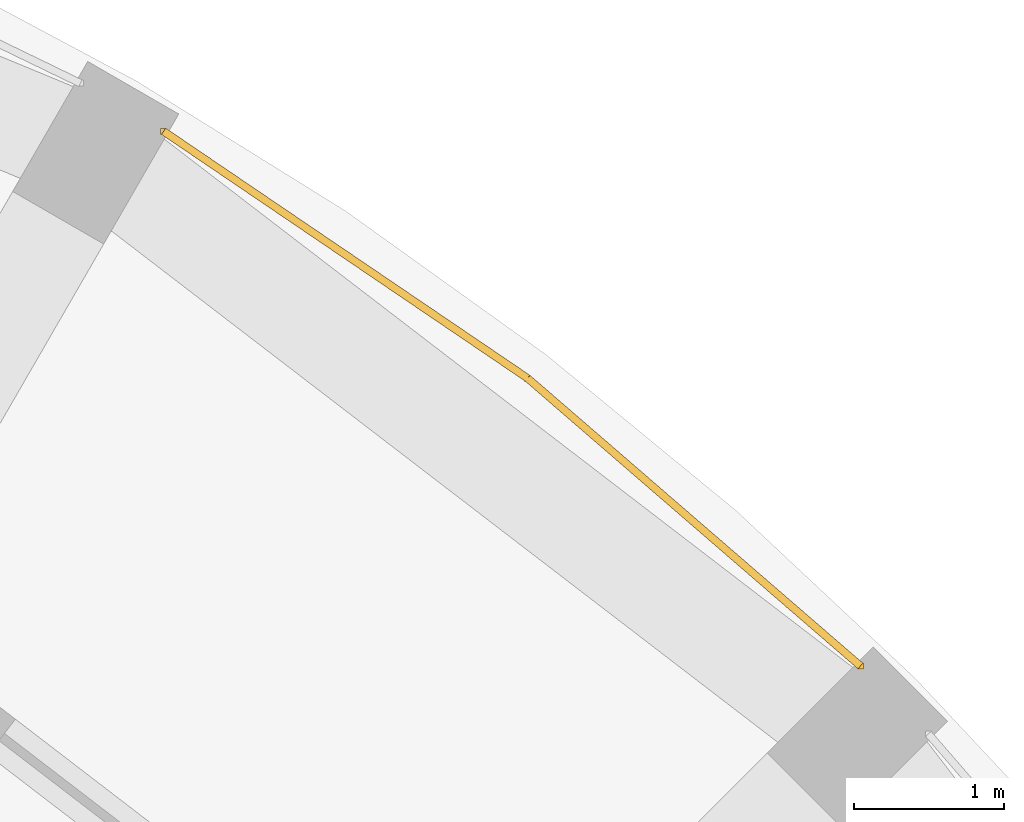
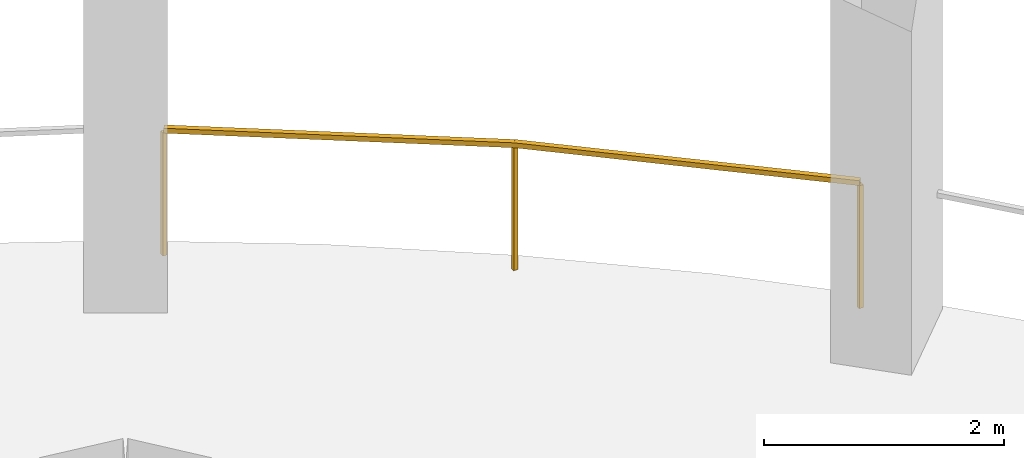
# One storey, part 8 of 8: 1 railing.
"""IFC4 building model written with IfcOpenShell, lengths in metres."""

from ifc_helpers import new_model, si_unit, direction, frame, origin, origin_2d, place, context, subcontext, project, spatial, rectangle, extrude, material, type_object, element, save


model = new_model("IFC4")

# Units and contexts
model_context = context("Model", 3, precision=1e-05, world=origin(), true_north=direction((0.0, 1.0)))
body_context = subcontext(model_context, "Body", "Model", "MODEL_VIEW")
ifc_project = project(units=[si_unit("LENGTHUNIT", "METRE"), si_unit("AREAUNIT", "SQUARE_METRE"), si_unit("VOLUMEUNIT", "CUBIC_METRE"), si_unit("PLANEANGLEUNIT", "RADIAN"), si_unit("MASSUNIT", "GRAM", prefix="KILO")], contexts=[model_context])

# Site, building, storey
site_placement = place(None, origin())
site = spatial("IfcSite", under=ifc_project, at=site_placement, CompositionType="ELEMENT")
building_placement = place(site_placement, origin())
building = spatial("IfcBuilding", under=site, at=building_placement, Name="Torre Triforio", CompositionType="ELEMENT")
storey_placement = place(building_placement, frame((0.0, 0.0, 120.0)))
storey = spatial("IfcBuildingStorey", under=building, at=storey_placement, Name="L26", CompositionType="ELEMENT", Elevation=120.0)

# Railing
ifc_material = material(Name="Stainless steel AISI 316", Category="steel")
railing_type = type_object("IfcRailingType", Name="Loggia guard 1300", PredefinedType="GUARDRAIL", material=ifc_material)
railing_placement = place(storey_placement, frame((17.34521484375, 17.7978515625, 0.0)))
element("IfcRailing", 1, at=railing_placement, inside=storey, type_object=railing_type, Name="Loggia guard L26 bay 04", PredefinedType="GUARDRAIL", context=body_context, shape_type="SweptSolid", body=[
    extrude(rectangle(XDim=0.050048828125, YDim=0.050048828125, at=origin_2d()), frame((0.0, 0.0, 1.27490234375), z_axis=(-0.756510170049, 0.653981928353, 0.0), x_axis=(-0.653981928353, -0.756510170049, 0.0)), (0.0, 0.0, 1.0), 2.93115234375),
    extrude(rectangle(XDim=0.050048828125, YDim=0.050048828125, at=origin_2d()), frame((-2.217529296875, 1.9169921875, 1.27490234375), z_axis=(-0.827499269821, 0.561466791934, 0.0), x_axis=(-0.561466791934, -0.827499269821, 0.0)), (0.0, 0.0, 1.0), 2.93115234375),
    extrude(rectangle(XDim=0.0400390625, YDim=0.0400390625, at=origin_2d()), origin(), (0.0, 0.0, 1.0), 1.25),
    extrude(rectangle(XDim=0.0400390625, YDim=0.0400390625, at=origin_2d()), frame((-2.217529296875, 1.9169921875, 0.0)), (0.0, 0.0, 1.0), 1.25),
    extrude(rectangle(XDim=0.0400390625, YDim=0.0400390625, at=origin_2d()), frame((-4.64306640625, 3.562744140625, 0.0)), (0.0, 0.0, 1.0), 1.25),
])

save(model, "model.ifc")
